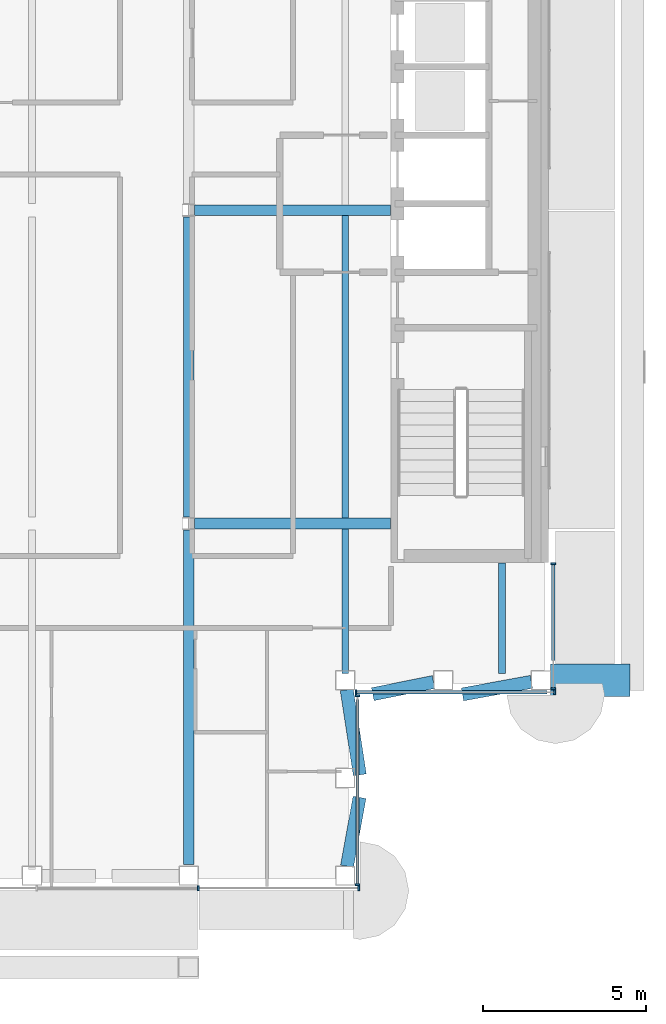
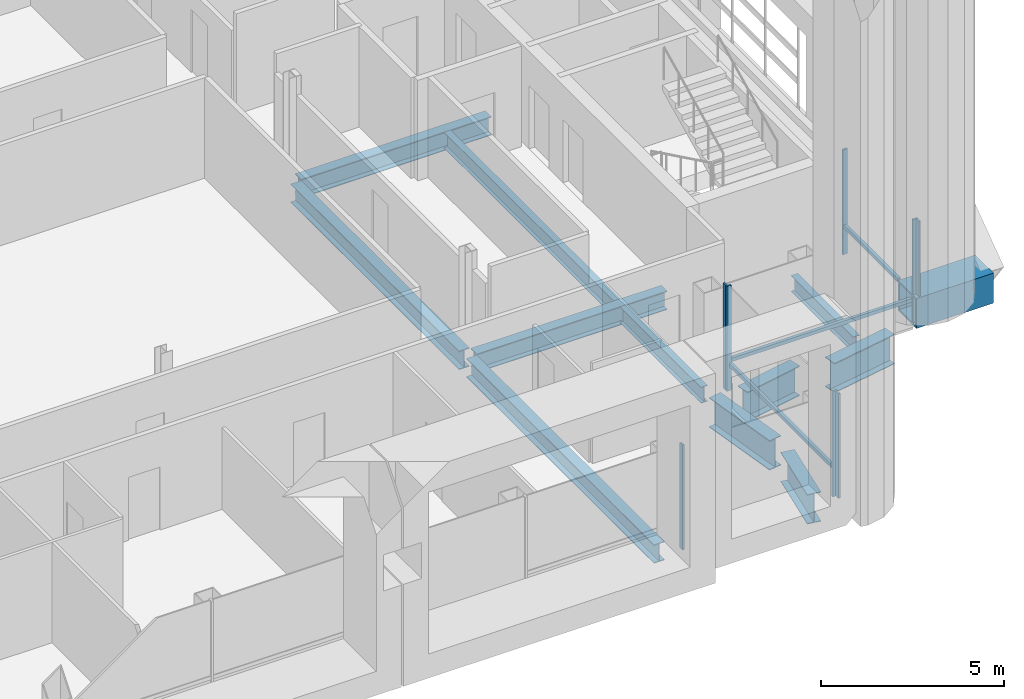
# One storey, part 7 of 29: 12 beams, 11 members, 4 elements without a shape of their own.
"""IFC4 building model written with IfcOpenShell, lengths in metres."""

from ifc_helpers import new_model, si_unit, direction, frame, origin, origin_2d, place, context, subcontext, project, spatial, rectangle, hollow_rectangle, i_section, extrude, material, material_profile, profile_set, type_object, element, aggregate, save


model = new_model("IFC4")

# Units and contexts
model_context = context("Model", 3, precision=1e-05, world=origin(), true_north=direction((0.0, 1.0)))
body_context = subcontext(model_context, "Body", "Model", "MODEL_VIEW")
ifc_project = project(units=[si_unit("LENGTHUNIT", "METRE"), si_unit("AREAUNIT", "SQUARE_METRE"), si_unit("VOLUMEUNIT", "CUBIC_METRE"), si_unit("PLANEANGLEUNIT", "RADIAN"), si_unit("MASSUNIT", "GRAM", prefix="KILO")], contexts=[model_context])

# Site, building, storey
site_placement = place(None, origin())
site = spatial("IfcSite", under=ifc_project, at=site_placement, CompositionType="ELEMENT")
building_placement = place(site_placement, origin())
building = spatial("IfcBuilding", under=site, at=building_placement, Name="Cobrizo Arcos Hotel Tower", CompositionType="ELEMENT")
storey_placement = place(building_placement, frame((0.0, 0.0, 241.0)))
storey = spatial("IfcBuildingStorey", under=building, at=storey_placement, Name="L63", CompositionType="ELEMENT", Elevation=241.0)

# Beam
ifc_material_1 = material(Name="Steel ASTM A572 Grade 50", Category="steel")
ifc_material_profile_1 = material_profile(ifc_material_1, hollow_rectangle(XDim=1.0, YDim=1.0, WallThickness=0.06005859375, at=origin_2d()), Name="BOX 1000X1000X60")
ifc_profile_set_1 = profile_set([ifc_material_profile_1], Name="Steel ASTM A572 Grade 50")
beam_type_1 = type_object("IfcBeamType", Name="BOX 1000X1000X60 brace connector strut", PredefinedType="BEAM", material=ifc_profile_set_1)
beam_1_placement = place(storey_placement, frame((20.68994140625, -14.39990234375, 0.5), z_axis=(1.0, 0.0, 0.0), x_axis=(0.0, 1.0, 0.0)))
element("IfcBeam", 1, at=beam_1_placement, inside=storey, type_object=beam_type_1, Name="Perimeter brace stub BS1, zone Z5, east face, offset -14.40 m, L63", PredefinedType="BEAM", context=body_context, shape_type="SweptSolid", body=[
    extrude(hollow_rectangle(XDim=1.0, YDim=1.0, WallThickness=0.06005859375, at=origin_2d()), origin(), (0.0, 0.0, 1.0), 2.43017578125),
])

# Curtain wall, members
ifc_material_2 = material(Name="Aluminium 6063-T6 anodised bronze", Category="aluminium")
curtain_wall_type = type_object("IfcCurtainWallType", Name="CW-A guest facade", PredefinedType="NOTDEFINED", material=ifc_material_2)
curtain_wall_1_placement = place(storey_placement, origin())
curtain_wall_1 = element("IfcCurtainWall", 2, at=curtain_wall_1_placement, inside=storey, type_object=curtain_wall_type, Name="CW-A L63 S face", PredefinedType="NOTDEFINED")
ifc_material_profile_2 = material_profile(ifc_material_2, rectangle(XDim=0.14990234375, YDim=0.06005859375, at=origin_2d()), Name="CW-A mullion 150x60")
ifc_profile_set_2 = profile_set([ifc_material_profile_2], Name="Aluminium 6063-T6 anodised bronze")
member_type_1 = type_object("IfcMemberType", Name="CW-A mullion 150x60", PredefinedType="MULLION", material=ifc_profile_set_2)
member_1_placement = place(storey_placement, frame((9.89990234375, -20.77490234375, 0.0), z_axis=(0.0, 0.0, 1.0), x_axis=(0.0, -1.0, 0.0)))
member_1 = element("IfcMember", 3, at=member_1_placement, type_object=member_type_1, Name="CW-A mullion 6", PredefinedType="MULLION", context=body_context, shape_type="SweptSolid", body=[
    extrude(rectangle(XDim=0.14990234375, YDim=0.06005859375, at=origin_2d()), origin(), (0.0, 0.0, 1.0), 3.5),
])
member_2_placement = place(storey_placement, frame((14.820068359375, -20.77490234375, 0.0), z_axis=(0.0, 0.0, 1.0), x_axis=(0.0, -1.0, 0.0)))
member_2 = element("IfcMember", 4, at=member_2_placement, type_object=member_type_1, Name="CW-A mullion 7", PredefinedType="MULLION", context=body_context, shape_type="SweptSolid", body=[
    extrude(rectangle(XDim=0.14990234375, YDim=0.06005859375, at=origin_2d()), origin(), (0.0, 0.0, 1.0), 3.5),
])
aggregate(curtain_wall_1, [member_1, member_2])

curtain_wall_2_placement = place(storey_placement, origin())
curtain_wall_2 = element("IfcCurtainWall", 5, at=curtain_wall_2_placement, inside=storey, type_object=curtain_wall_type, Name="CW-A L63 E face", PredefinedType="NOTDEFINED")
member_3_placement = place(storey_placement, frame((14.77490234375, -20.669921875, 0.0), z_axis=(0.0, 0.0, 1.0), x_axis=(1.0, 0.0, 0.0)))
member_3 = element("IfcMember", 6, at=member_3_placement, type_object=member_type_1, Name="CW-A mullion 1", PredefinedType="MULLION", context=body_context, shape_type="SweptSolid", body=[
    extrude(rectangle(XDim=0.14990234375, YDim=0.06005859375, at=origin_2d()), origin(), (0.0, 0.0, 1.0), 3.5),
])
member_4_placement = place(storey_placement, frame((14.77490234375, -14.8798828125, 0.0), z_axis=(0.0, 0.0, 1.0), x_axis=(1.0, 0.0, 0.0)))
member_4 = element("IfcMember", 7, at=member_4_placement, type_object=member_type_1, Name="CW-A mullion 2", PredefinedType="MULLION", context=body_context, shape_type="SweptSolid", body=[
    extrude(rectangle(XDim=0.14990234375, YDim=0.06005859375, at=origin_2d()), origin(), (0.0, 0.0, 1.0), 3.5),
])

curtain_wall_3_placement = place(storey_placement, origin())
curtain_wall_3 = element("IfcCurtainWall", 8, at=curtain_wall_3_placement, inside=storey, type_object=curtain_wall_type, Name="CW-A L63 S face", PredefinedType="NOTDEFINED")
member_5_placement = place(storey_placement, frame((14.72998046875, -14.77490234375, 0.0), z_axis=(0.0, 0.0, 1.0), x_axis=(0.0, -1.0, 0.0)))
member_5 = element("IfcMember", 9, at=member_5_placement, type_object=member_type_1, Name="CW-A mullion 1", PredefinedType="MULLION", context=body_context, shape_type="SweptSolid", body=[
    extrude(rectangle(XDim=0.14990234375, YDim=0.06005859375, at=origin_2d()), origin(), (0.0, 0.0, 1.0), 3.5),
])
member_6_placement = place(storey_placement, frame((20.820068359375, -14.77490234375, 0.0), z_axis=(0.0, 0.0, 1.0), x_axis=(0.0, -1.0, 0.0)))
member_6 = element("IfcMember", 10, at=member_6_placement, type_object=member_type_1, Name="CW-A mullion 2", PredefinedType="MULLION", context=body_context, shape_type="SweptSolid", body=[
    extrude(rectangle(XDim=0.14990234375, YDim=0.06005859375, at=origin_2d()), origin(), (0.0, 0.0, 1.0), 3.5),
])

curtain_wall_4_placement = place(storey_placement, origin())
curtain_wall_4 = element("IfcCurtainWall", 11, at=curtain_wall_4_placement, inside=storey, type_object=curtain_wall_type, Name="CW-A L63 E face", PredefinedType="NOTDEFINED")
member_7_placement = place(storey_placement, frame((20.77490234375, -14.669921875, 0.0), z_axis=(0.0, 0.0, 1.0), x_axis=(1.0, 0.0, 0.0)))
member_7 = element("IfcMember", 12, at=member_7_placement, type_object=member_type_1, Name="CW-A mullion 1", PredefinedType="MULLION", context=body_context, shape_type="SweptSolid", body=[
    extrude(rectangle(XDim=0.14990234375, YDim=0.06005859375, at=origin_2d()), origin(), (0.0, 0.0, 1.0), 3.5),
])
member_8_placement = place(storey_placement, frame((20.77490234375, -10.830078125, 0.0), z_axis=(0.0, 0.0, 1.0), x_axis=(1.0, 0.0, 0.0)))
member_8 = element("IfcMember", 13, at=member_8_placement, type_object=member_type_1, Name="CW-A mullion 2", PredefinedType="MULLION", context=body_context, shape_type="SweptSolid", body=[
    extrude(rectangle(XDim=0.14990234375, YDim=0.06005859375, at=origin_2d()), origin(), (0.0, 0.0, 1.0), 3.5),
])

# Member
ifc_material_profile_3 = material_profile(ifc_material_2, rectangle(XDim=0.10009765625, YDim=0.1201171875, at=origin_2d()), Name="CW-A transom 120x100")
ifc_profile_set_3 = profile_set([ifc_material_profile_3], Name="Aluminium 6063-T6 anodised bronze")
member_type_2 = type_object("IfcMemberType", Name="CW-A transom 120x100", PredefinedType="USERDEFINED", material=ifc_profile_set_3)
member_9_placement = place(storey_placement, frame((14.77490234375, -20.639892578125, 0.929931640625), z_axis=(0.0, 1.0, 0.0), x_axis=(-1.0, 0.0, 0.0)))
member_9 = element("IfcMember", 14, at=member_9_placement, type_object=member_type_2, Name="CW-A transom 2018", ObjectType="TRANSOM", PredefinedType="USERDEFINED", context=body_context, shape_type="SweptSolid", body=[
    extrude(rectangle(XDim=0.10009765625, YDim=0.1201171875, at=origin_2d()), origin(), (0.0, 0.0, 1.0), 5.639892578125),
])

aggregate(curtain_wall_2, [member_3, member_4, member_9])

member_10_placement = place(storey_placement, frame((14.760009765625, -14.77490234375, 0.929931640625), z_axis=(1.0, 0.0, 0.0), x_axis=(0.0, 1.0, 0.0)))
member_10 = element("IfcMember", 15, at=member_10_placement, type_object=member_type_2, Name="CW-A transom 2019", ObjectType="TRANSOM", PredefinedType="USERDEFINED", context=body_context, shape_type="SweptSolid", body=[
    extrude(rectangle(XDim=0.10009765625, YDim=0.1201171875, at=origin_2d()), origin(), (0.0, 0.0, 1.0), 5.830078125),
])

aggregate(curtain_wall_3, [member_5, member_6, member_10])

member_11_placement = place(storey_placement, frame((20.77490234375, -13.800048828125, 0.929931640625), z_axis=(0.0, 1.0, 0.0), x_axis=(-1.0, 0.0, 0.0)))
member_11 = element("IfcMember", 16, at=member_11_placement, type_object=member_type_2, Name="CW-A transom 2020", ObjectType="TRANSOM", PredefinedType="USERDEFINED", context=body_context, shape_type="SweptSolid", body=[
    extrude(rectangle(XDim=0.10009765625, YDim=0.1201171875, at=origin_2d()), origin(), (0.0, 0.0, 1.0), 2.93994140625),
])

aggregate(curtain_wall_4, [member_7, member_8, member_11])

# Beams
ifc_material_3 = material(Name="Steel ASTM A992 Grade 50", Category="steel")
ifc_material_profile_4 = material_profile(ifc_material_3, i_section(OverallWidth=0.209228515625, OverallDepth=0.533447265625, WebThickness=0.01025390625, FlangeThickness=0.015625, at=origin_2d()), Name="W21X62")
ifc_profile_set_4 = profile_set([ifc_material_profile_4], Name="Steel ASTM A992 Grade 50")
beam_type_2 = type_object("IfcBeamType", Name="W21X62 joist", PredefinedType="JOIST", material=ifc_profile_set_4)
beam_2_placement = place(storey_placement, frame((14.39990234375, -14.199462890625, -0.416748046875), z_axis=(0.0, 1.0, 0.0), x_axis=(-1.0, 0.0, 0.0)))
element("IfcBeam", 17, at=beam_2_placement, inside=storey, type_object=beam_type_2, Name="Floor joist J1, L63, no. 015", PredefinedType="JOIST", context=body_context, shape_type="SweptSolid", body=[
    extrude(i_section(OverallWidth=0.209228515625, OverallDepth=0.533447265625, WebThickness=0.01025390625, FlangeThickness=0.015625, at=origin_2d()), origin(), (0.0, 0.0, 1.0), 4.435546875),
])
beam_3_placement = place(storey_placement, frame((14.39990234375, -9.43603515625, -0.416748046875), z_axis=(0.0, 1.0, 0.0), x_axis=(-1.0, 0.0, 0.0)))
element("IfcBeam", 18, at=beam_3_placement, inside=storey, type_object=beam_type_2, Name="Floor joist J1, L63, no. 016", PredefinedType="JOIST", context=body_context, shape_type="SweptSolid", body=[
    extrude(i_section(OverallWidth=0.209228515625, OverallDepth=0.533447265625, WebThickness=0.01025390625, FlangeThickness=0.015625, at=origin_2d()), origin(), (0.0, 0.0, 1.0), 9.272216796875),
])
beam_4_placement = place(storey_placement, frame((19.199951171875, -14.199462890625, -0.416748046875), z_axis=(0.0, 1.0, 0.0), x_axis=(-1.0, 0.0, 0.0)))
element("IfcBeam", 19, at=beam_4_placement, inside=storey, type_object=beam_type_2, Name="Floor joist J1, L63, no. 019", PredefinedType="JOIST", context=body_context, shape_type="SweptSolid", body=[
    extrude(i_section(OverallWidth=0.209228515625, OverallDepth=0.533447265625, WebThickness=0.01025390625, FlangeThickness=0.015625, at=origin_2d()), origin(), (0.0, 0.0, 1.0), 3.389404296875),
])
ifc_material_profile_5 = material_profile(ifc_material_3, i_section(OverallWidth=0.32763671875, OverallDepth=0.622314453125, WebThickness=0.015380859375, FlangeThickness=0.0244140625, at=origin_2d()), Name="W24X131")
ifc_profile_set_5 = profile_set([ifc_material_profile_5], Name="Steel ASTM A992 Grade 50")
beam_type_3 = type_object("IfcBeamType", Name="W24X131 girder", PredefinedType="BEAM", material=ifc_profile_set_5)
for number, where, z_axis, x_axis, name in (
    (20, (9.78662109375, -9.60009765625, -0.461181640625), (1.0, 0.0, 0.0), (0.0, 1.0, 0.0), "Floor girder G1, L63, no. 002"),
    (21, (9.78662109375, 0.0, -0.461181640625), (1.0, 0.0, 0.0), (0.0, 1.0, 0.0), "Floor girder G1, L63, no. 004"),
):
    element("IfcBeam", number, at=place(storey_placement, frame(where, z_axis=z_axis, x_axis=x_axis)), inside=storey, type_object=beam_type_3, Name=name, PredefinedType="BEAM", context=body_context, shape_type="SweptSolid", body=[
        extrude(i_section(OverallWidth=0.32763671875, OverallDepth=0.622314453125, WebThickness=0.015380859375, FlangeThickness=0.0244140625, at=origin_2d()), origin(), (0.0, 0.0, 1.0), 6.00341796875),
    ])
beam_5_placement = place(storey_placement, frame((9.60009765625, -20.050048828125, -0.461181640625), z_axis=(0.0, 1.0, 0.0), x_axis=(-1.0, 0.0, 0.0)))
element("IfcBeam", 22, at=beam_5_placement, inside=storey, type_object=beam_type_3, Name="Floor girder G1, L63, no. 015", PredefinedType="BEAM", context=body_context, shape_type="SweptSolid", body=[
    extrude(i_section(OverallWidth=0.32763671875, OverallDepth=0.622314453125, WebThickness=0.015380859375, FlangeThickness=0.0244140625, at=origin_2d()), origin(), (0.0, 0.0, 1.0), 10.24951171875),
])
beam_6_placement = place(storey_placement, frame((9.60009765625, -9.3994140625, -0.461181640625), z_axis=(0.0, 1.0, 0.0), x_axis=(-1.0, 0.0, 0.0)))
element("IfcBeam", 23, at=beam_6_placement, inside=storey, type_object=beam_type_3, Name="Floor girder G1, L63, no. 016", PredefinedType="BEAM", context=body_context, shape_type="SweptSolid", body=[
    extrude(i_section(OverallWidth=0.32763671875, OverallDepth=0.622314453125, WebThickness=0.015380859375, FlangeThickness=0.0244140625, at=origin_2d()), origin(), (0.0, 0.0, 1.0), 9.198974609375),
])
ifc_material_profile_6 = material_profile(ifc_material_3, i_section(OverallWidth=0.4013671875, OverallDepth=0.990478515625, WebThickness=0.0166015625, FlangeThickness=0.025390625, at=origin_2d()), Name="W40X215")
ifc_profile_set_6 = profile_set([ifc_material_profile_6], Name="Steel ASTM A992 Grade 50")
beam_type_4 = type_object("IfcBeamType", Name="W40X215 transfer girder", PredefinedType="BEAM", material=ifc_profile_set_6)
for number, where, z_axis, x_axis, name in (
    (24, (14.83740234375, -17.994384765625, -0.645263671875), (-0.178925502795, -0.983862624785, 0.0), (0.983862624785, -0.178925502795, 0.0), "Setback transfer girder TG1, L63, no. 012"),
    (25, (17.994384765625, -14.83740234375, -0.645263671875), (0.983862624785, 0.178925502795, 0.0), (-0.178925502795, 0.983862624785, 0.0), "Setback transfer girder TG1, L63, no. 013"),
):
    element("IfcBeam", number, at=place(storey_placement, frame(where, z_axis=z_axis, x_axis=x_axis)), inside=storey, type_object=beam_type_4, Name=name, PredefinedType="BEAM", context=body_context, shape_type="SweptSolid", body=[
        extrude(i_section(OverallWidth=0.4013671875, OverallDepth=0.990478515625, WebThickness=0.0166015625, FlangeThickness=0.025390625, at=origin_2d()), origin(), (0.0, 0.0, 1.0), 2.14501953125),
    ])
beam_7_placement = place(storey_placement, frame((14.8466796875, -17.30419921875, -0.645263671875), z_axis=(-0.152036323548, 0.988374906765, 0.0), x_axis=(-0.988374906765, -0.152036323548, 0.0)))
element("IfcBeam", 26, at=beam_7_placement, inside=storey, type_object=beam_type_4, Name="Setback transfer girder TG1, L63, no. 021", PredefinedType="BEAM", context=body_context, shape_type="SweptSolid", body=[
    extrude(i_section(OverallWidth=0.4013671875, OverallDepth=0.990478515625, WebThickness=0.0166015625, FlangeThickness=0.025390625, at=origin_2d()), origin(), (0.0, 0.0, 1.0), 2.638427734375),
])
beam_8_placement = place(storey_placement, frame((15.2431640625, -14.831298828125, -0.645263671875), z_axis=(0.980575731815, 0.196140852897, 0.0), x_axis=(-0.196140852897, 0.980575731815, 0.0)))
element("IfcBeam", 27, at=beam_8_placement, inside=storey, type_object=beam_type_4, Name="Setback transfer girder TG1, L63, no. 022", PredefinedType="BEAM", context=body_context, shape_type="SweptSolid", body=[
    extrude(i_section(OverallWidth=0.4013671875, OverallDepth=0.990478515625, WebThickness=0.0166015625, FlangeThickness=0.025390625, at=origin_2d()), origin(), (0.0, 0.0, 1.0), 1.8994140625),
])

save(model, "model.ifc")
